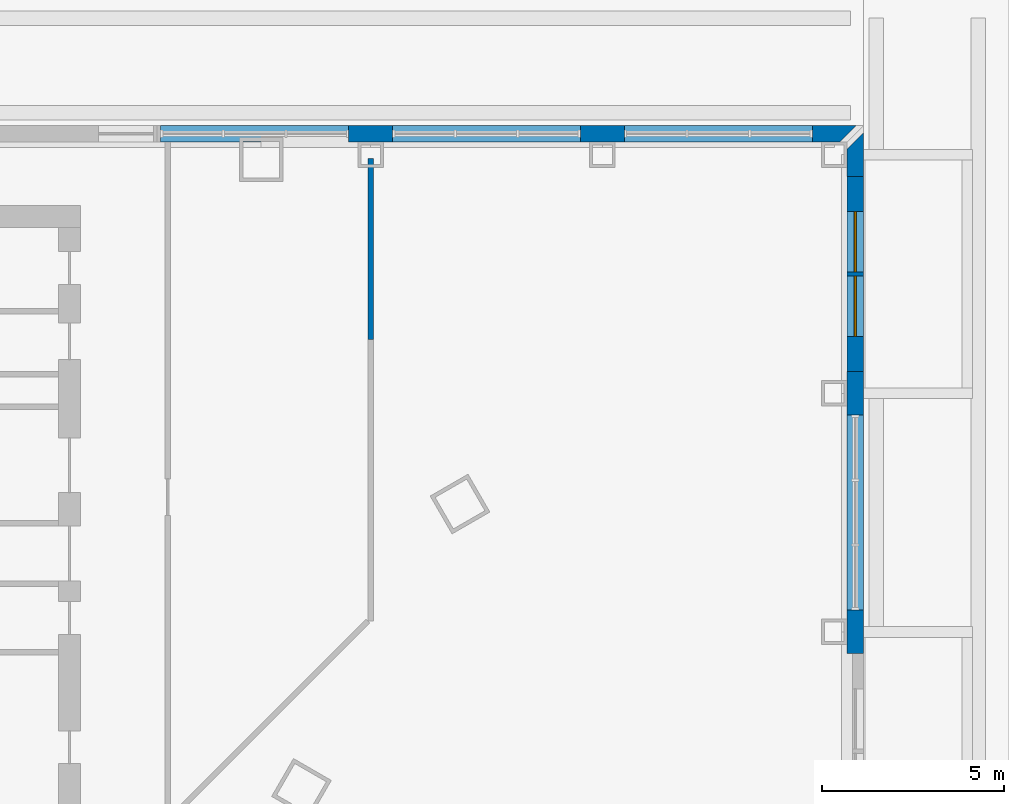
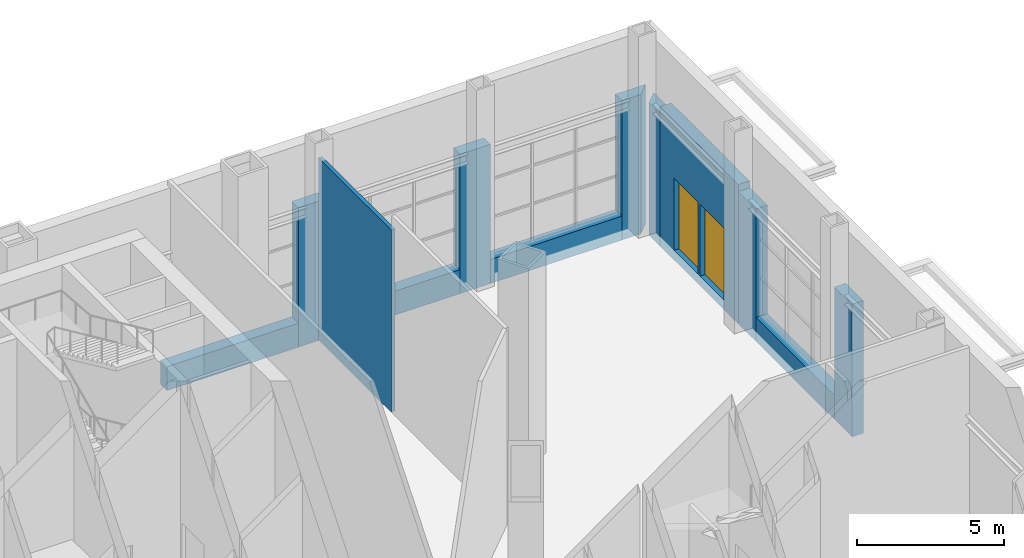
# One storey, part 24 of 34: 12 walls, 2 doors, 2 openings.
"""IFC4 building model written with IfcOpenShell, lengths in metres."""

from ifc_helpers import new_model, si_unit, direction, frame, frame_2d, origin, place, context, subcontext, project, spatial, polyline, rectangle, outline, extrude, material, layer, layer_set, type_object, element, fill, save


model = new_model("IFC4")

# Units and contexts
model_context = context("Model", 3, precision=1e-05, world=origin(), true_north=direction((0.0, 1.0)))
body_context = subcontext(model_context, "Body", "Model", "MODEL_VIEW")
ifc_project = project(units=[si_unit("LENGTHUNIT", "METRE"), si_unit("AREAUNIT", "SQUARE_METRE"), si_unit("VOLUMEUNIT", "CUBIC_METRE"), si_unit("PLANEANGLEUNIT", "RADIAN"), si_unit("MASSUNIT", "GRAM", prefix="KILO")], contexts=[model_context])

# Site, building, storey
site_placement = place(None, origin())
site = spatial("IfcSite", under=ifc_project, at=site_placement, CompositionType="ELEMENT")
building_placement = place(site_placement, origin())
building = spatial("IfcBuilding", under=site, at=building_placement, Name="Njiva Tower", CompositionType="ELEMENT")
storey_placement = place(building_placement, origin())
storey = spatial("IfcBuildingStorey", under=building, at=storey_placement, Name="L00", CompositionType="ELEMENT", Elevation=0.0)

# Walls
ifc_material_1 = material(Name="Gypsum board on steel studs", Category="gypsum")
ifc_layer_1 = layer(ifc_material_1, 0.15)
ifc_layer_set_1 = layer_set([ifc_layer_1], Name="Gypsum board on steel studs")
wall_type_1 = type_object("IfcWallType", Name="WT21 Compartment wall 150", PredefinedType="PARTITIONING", material=ifc_layer_set_1)
wall_1_placement = place(storey_placement, frame((25.467, 14.328, 0.0), z_axis=(0.0, 0.0, 1.0), x_axis=(0.0, 1.0, 0.0)))
element("IfcWall", 1, at=wall_1_placement, inside=storey, type_object=wall_type_1, Name="Partition L00-P075A", PredefinedType="PARTITIONING", context=body_context, shape_type="SweptSolid", body=[
    extrude(rectangle(XDim=4.972, YDim=0.15, at=frame_2d((2.486, 0.0))), origin(), (0.0, 0.0, 1.0), 7.58),
])
ifc_material_2 = material(Name="Brick masonry", Category="masonry")
ifc_layer_2 = layer(ifc_material_2, 0.45)
ifc_layer_set_2 = layer_set([ifc_layer_2], Name="Brick masonry")
wall_type_2 = type_object("IfcWallType", Name="WT90 Brick pier and spandrel wall 450", PredefinedType="SOLIDWALL", material=ifc_layer_set_2)
for number, where, z_axis, x_axis, name in (
    (2, (38.775, 5.7, -0.4), (0.0, 0.0, 1.0), (0.0, 1.0, 0.0), "Podium pier E7"),
    (3, (38.775, 12.25, -0.4), (0.0, 0.0, 1.0), (0.0, 1.0, 0.0), "Podium pier E8"),
):
    element("IfcWall", number, at=place(storey_placement, frame(where, z_axis=z_axis, x_axis=x_axis)), inside=storey, type_object=wall_type_2, Name=name, PredefinedType="SOLIDWALL", context=body_context, shape_type="SweptSolid", body=[
        extrude(outline(polyline([(0.0, -0.225), (1.2, -0.225), (1.2, 0.225), (0.0, 0.225), (0.0, -0.225)])), origin(), (0.0, 0.0, 1.0), 5.51),
    ])
wall_2_placement = place(storey_placement, frame((38.775, 18.8, -0.4), z_axis=(0.0, 0.0, 1.0), x_axis=(0.0, 1.0, 0.0)))
element("IfcWall", 4, at=wall_2_placement, inside=storey, type_object=wall_type_2, Name="Podium pier E9", PredefinedType="SOLIDWALL", context=body_context, shape_type="SweptSolid", body=[
    extrude(outline(polyline([(0.0, -0.225), (1.2, -0.225), (0.75, 0.225), (0.0, 0.225), (0.0, -0.225)])), origin(), (0.0, 0.0, 1.0), 5.51),
])
wall_3_placement = place(storey_placement, frame((38.775, 6.9, -0.4), z_axis=(0.0, 0.0, 1.0), x_axis=(0.0, 1.0, 0.0)))
element("IfcWall", 5, at=wall_3_placement, inside=storey, type_object=wall_type_2, Name="Shopfront plinth E7", PredefinedType="SOLIDWALL", context=body_context, shape_type="SweptSolid", body=[
    extrude(outline(polyline([(0.0, -0.225), (5.35, -0.225), (5.35, 0.225), (0.0, 0.225), (0.0, -0.225)])), origin(), (0.0, 0.0, 1.0), 1.0),
])
wall_4_placement = place(storey_placement, frame((38.575, 19.975, -0.4), z_axis=(0.0, 0.0, 1.0), x_axis=(-1.0, 0.0, 0.0)))
element("IfcWall", 6, at=wall_4_placement, inside=storey, type_object=wall_type_2, Name="Podium pier N1", PredefinedType="SOLIDWALL", context=body_context, shape_type="SweptSolid", body=[
    extrude(outline(polyline([(-0.225, -0.225), (0.975, -0.225), (0.975, 0.225), (0.225, 0.225), (-0.225, -0.225)])), origin(), (0.0, 0.0, 1.0), 5.8),
])
for number, where, z_axis, x_axis, name in (
    (7, (32.4333, 19.975, -0.4), (0.0, 0.0, 1.0), (-1.0, 0.0, 0.0), "Podium pier N2"),
    (8, (26.0667, 19.975, -0.4), (0.0, 0.0, 1.0), (-1.0, 0.0, 0.0), "Podium pier N3"),
):
    element("IfcWall", number, at=place(storey_placement, frame(where, z_axis=z_axis, x_axis=x_axis)), inside=storey, type_object=wall_type_2, Name=name, PredefinedType="SOLIDWALL", context=body_context, shape_type="SweptSolid", body=[
        extrude(outline(polyline([(0.0, -0.225), (1.2, -0.225), (1.2, 0.225), (0.0, 0.225), (0.0, -0.225)])), origin(), (0.0, 0.0, 1.0), 5.8),
    ])
wall_5_placement = place(storey_placement, frame((37.6, 19.975, -0.4), z_axis=(0.0, 0.0, 1.0), x_axis=(-1.0, 0.0, 0.0)))
element("IfcWall", 9, at=wall_5_placement, inside=storey, type_object=wall_type_2, Name="Shopfront plinth N1", PredefinedType="SOLIDWALL", context=body_context, shape_type="SweptSolid", body=[
    extrude(outline(polyline([(0.0, -0.225), (5.1667, -0.225), (5.1667, 0.225), (0.0, 0.225), (0.0, -0.225)])), origin(), (0.0, 0.0, 1.0), 1.0),
])
wall_6_placement = place(storey_placement, frame((31.2333, 19.975, -0.4), z_axis=(0.0, 0.0, 1.0), x_axis=(-1.0, 0.0, 0.0)))
element("IfcWall", 10, at=wall_6_placement, inside=storey, type_object=wall_type_2, Name="Shopfront plinth N2", PredefinedType="SOLIDWALL", context=body_context, shape_type="SweptSolid", body=[
    extrude(outline(polyline([(0.0, -0.225), (5.1666, -0.225), (5.1666, 0.225), (0.0, 0.225), (0.0, -0.225)])), origin(), (0.0, 0.0, 1.0), 1.0),
])
wall_7_placement = place(storey_placement, frame((24.8667, 19.975, -0.4), z_axis=(0.0, 0.0, 1.0), x_axis=(-1.0, 0.0, 0.0)))
element("IfcWall", 11, at=wall_7_placement, inside=storey, type_object=wall_type_2, Name="Shopfront plinth N3", PredefinedType="SOLIDWALL", context=body_context, shape_type="SweptSolid", body=[
    extrude(outline(polyline([(0.0, -0.225), (5.1667, -0.225), (5.1667, 0.225), (0.0, 0.225), (0.0, -0.225)])), origin(), (0.0, 0.0, 1.0), 1.0),
])

# Wall, openings, doors
ifc_layer_3 = layer(ifc_material_2, 0.45)
ifc_layer_set_3 = layer_set([ifc_layer_3], Name="Brick masonry")
wall_type_3 = type_object("IfcWallType", Name="WT91 Entrance infill wall 450", PredefinedType="SOLIDWALL", material=ifc_layer_set_3)
wall_8_placement = place(storey_placement, frame((38.775, 13.45, -0.4), z_axis=(0.0, 0.0, 1.0), x_axis=(0.0, 1.0, 0.0)))
wall_8 = element("IfcWall", 12, at=wall_8_placement, inside=storey, type_object=wall_type_3, Name="Entrance infill E8", PredefinedType="SOLIDWALL", context=body_context, shape_type="SweptSolid", body=[
    extrude(outline(polyline([(0.0, -0.225), (5.35, -0.225), (5.35, 0.225), (0.0, 0.225), (0.0, -0.225)])), origin(), (0.0, 0.0, 1.0), 5.8),
])
opening_1_placement = place(wall_8_placement, frame((0.965, 0.0, 0.4)))
opening_1 = element("IfcOpeningElement", 13, at=opening_1_placement, cuts=wall_8, Name="Opening L00-D03", PredefinedType="OPENING", context=body_context, shape_type="SweptSolid", body=[
    extrude(rectangle(XDim=1.65, YDim=3.0, at=frame_2d((0.825, 1.5))), frame((0.0, 0.235, 0.0), z_axis=(0.0, -1.0, 0.0), x_axis=(1.0, 0.0, 0.0)), (0.0, 0.0, 1.0), 0.47),
])
opening_2_placement = place(wall_8_placement, frame((2.735, 0.0, 0.4)))
opening_2 = element("IfcOpeningElement", 14, at=opening_2_placement, cuts=wall_8, Name="Opening L00-D15", PredefinedType="OPENING", context=body_context, shape_type="SweptSolid", body=[
    extrude(rectangle(XDim=1.65, YDim=3.0, at=frame_2d((0.825, 1.5))), frame((0.0, 0.235, 0.0), z_axis=(0.0, -1.0, 0.0), x_axis=(1.0, 0.0, 0.0)), (0.0, 0.0, 1.0), 0.47),
])
ifc_material_3 = material(Name="Aluminium frame with clear glazing", Category="aluminium")
door_type = type_object("IfcDoorType", Name="D93 Entrance door 1650x3000", OperationType="DOUBLE_DOOR_DOUBLE_SWING", PredefinedType="DOOR", material=ifc_material_3)
door_1_placement = place(opening_1_placement, frame((1.65, 0.0, 0.0), z_axis=(0.0, 0.0, 1.0), x_axis=(-1.0, 0.0, 0.0)))
door_1 = element("IfcDoor", 15, at=door_1_placement, inside=storey, type_object=door_type, Name="Station entrance door", OperationType="DOUBLE_DOOR_DOUBLE_SWING", OverallHeight=3.0, OverallWidth=1.65, PredefinedType="DOOR", context=body_context, shape_type="SweptSolid", body=[
    extrude(rectangle(XDim=1.65, YDim=3.0, at=frame_2d((0.825, 1.5))), frame((0.0, 0.025, 0.0), z_axis=(0.0, -1.0, 0.0), x_axis=(1.0, 0.0, 0.0)), (0.0, 0.0, 1.0), 0.05),
])
fill(opening_1, door_1)
door_2_placement = place(opening_2_placement, frame((1.65, 0.0, 0.0), z_axis=(0.0, 0.0, 1.0), x_axis=(-1.0, 0.0, 0.0)))
door_2 = element("IfcDoor", 16, at=door_2_placement, inside=storey, type_object=door_type, Name="Station entrance door", OperationType="DOUBLE_DOOR_DOUBLE_SWING", OverallHeight=3.0, OverallWidth=1.65, PredefinedType="DOOR", context=body_context, shape_type="SweptSolid", body=[
    extrude(rectangle(XDim=1.65, YDim=3.0, at=frame_2d((0.825, 1.5))), frame((0.0, 0.025, 0.0), z_axis=(0.0, -1.0, 0.0), x_axis=(1.0, 0.0, 0.0)), (0.0, 0.0, 1.0), 0.05),
])
fill(opening_2, door_2)

save(model, "model.ifc")
